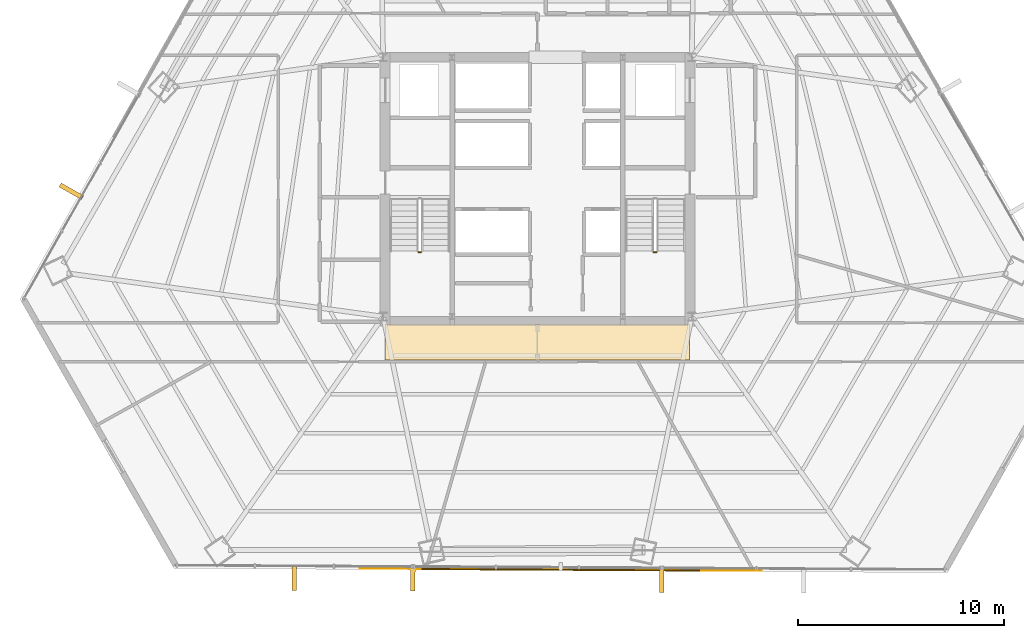
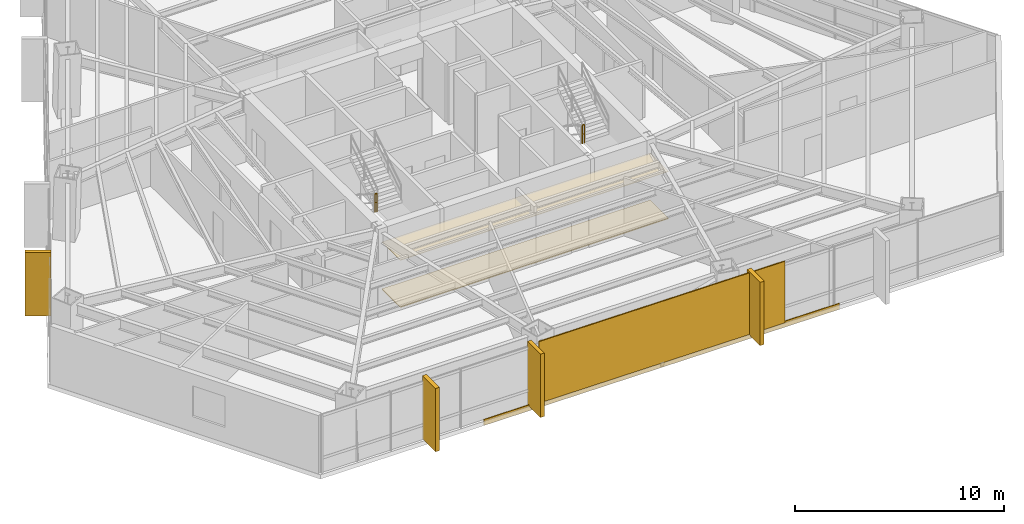
# One storey, part 33 of 35: 7 coverings, 2 railings, 1 shading device.
"""IFC4 building model written with IfcOpenShell, lengths in metres."""

from ifc_helpers import new_model, si_unit, direction, frame, origin, origin_2d, place, context, subcontext, project, spatial, polyline, rectangle, outline, extrude, source, transform, mapped, material, layer, layer_set, type_object, type_shapes, element, save


model = new_model("IFC4")

# Units and contexts
model_context = context("Model", 3, precision=1e-05, world=origin(), true_north=direction((0.0, 1.0)))
body_context = subcontext(model_context, "Body", "Model", "MODEL_VIEW")
ifc_project = project(units=[si_unit("LENGTHUNIT", "METRE"), si_unit("AREAUNIT", "SQUARE_METRE"), si_unit("VOLUMEUNIT", "CUBIC_METRE"), si_unit("PLANEANGLEUNIT", "RADIAN"), si_unit("MASSUNIT", "GRAM", prefix="KILO")], contexts=[model_context])

# Site, building, storey
site_placement = place(None, origin())
site = spatial("IfcSite", under=ifc_project, at=site_placement, CompositionType="ELEMENT")
building_placement = place(site_placement, origin())
building = spatial("IfcBuilding", under=site, at=building_placement, Name="Caelisora Broadcast Tower", CompositionType="ELEMENT")
storey_placement = place(building_placement, frame((0.0, 0.0, 87.14990234375)))
storey = spatial("IfcBuildingStorey", under=building, at=storey_placement, Name="L22", CompositionType="ELEMENT", Elevation=87.14990234375)

# Coverings
ifc_material_1 = material(Name="Perforated Mineral-Fibre Acoustic Ceiling Tile", Category="gypsum")
ifc_layer_1 = layer(ifc_material_1, 0.034912109375, Name="Perforated Mineral-Fibre Acoustic Ceiling Tile")
ifc_layer_set_1 = layer_set([ifc_layer_1], Name="Perforated Mineral-Fibre Acoustic Ceiling Tile")
covering_type_1 = type_object("IfcCoveringType", Name="CE-1", PredefinedType="CEILING", material=ifc_layer_set_1)
covering_1_placement = place(storey_placement, frame((0.0, 0.0, 2.75)))
element("IfcCovering", 1, at=covering_1_placement, inside=storey, type_object=covering_type_1, Name="L22 acoustic corridor ceiling CE-1 (S)", PredefinedType="CEILING", context=body_context, shape_type="SweptSolid", body=[
    extrude(outline(polyline([(30.60009765625, 15.300048828125), (45.39990234375, 15.300048828125), (45.39990234375, 17.050048828125), (30.60009765625, 17.050048828125), (30.60009765625, 15.300048828125)])), origin(), (0.0, 0.0, 1.0), 0.03515625),
])
ifc_material_2 = material(Name="Anti-Static Broadcast Raised Access Floor Panel", Category="steel")
ifc_layer_2 = layer(ifc_material_2, 0.044921875, Name="Anti-Static Broadcast Raised Access Floor Panel")
ifc_layer_set_2 = layer_set([ifc_layer_2], Name="Anti-Static Broadcast Raised Access Floor Panel")
covering_type_2 = type_object("IfcCoveringType", Name="FL-1", PredefinedType="FLOORING", material=ifc_layer_set_2)
covering_2_placement = place(storey_placement, origin())
element("IfcCovering", 2, at=covering_2_placement, inside=storey, type_object=covering_type_2, Name="L22 broadcast raised access floor FL-1 (S)", PredefinedType="FLOORING", context=body_context, shape_type="SweptSolid", body=[
    extrude(outline(polyline([(30.60009765625, 15.300048828125), (45.39990234375, 15.300048828125), (45.39990234375, 17.050048828125), (30.60009765625, 17.050048828125), (30.60009765625, 15.300048828125)])), origin(), (0.0, 0.0, 1.0), 0.045166015625),
])

# Railings
ifc_material_3 = material(Name="Galvanised Steel Safety Guardrail", Category="steel")
ifc_layer_3 = layer(ifc_material_3, 0.048095703125, Name="Galvanised Steel Safety Guardrail")
ifc_layer_set_3 = layer_set([ifc_layer_3], Name="Galvanised Steel Safety Guardrail")
railing_type = type_object("IfcRailingType", Name="GR-1", PredefinedType="GUARDRAIL", material=ifc_layer_set_3)
for number, where, name in (
    (3, (32.219970703125, 20.530029296875, 1.8251953125), "L22 ST-1 stair guard 2"),
    (4, (43.659912109375, 20.530029296875, 1.8251953125), "L22 ST-2 stair guard 2"),
):
    element("IfcRailing", number, at=place(storey_placement, frame(where)), inside=storey, type_object=railing_type, Name=name, PredefinedType="GUARDRAIL", context=body_context, shape_type="SweptSolid", body=[
        extrude(rectangle(XDim=0.048095703125, YDim=0.048095703125, at=origin_2d()), frame((0.0, 0.0, 1.076171875), z_axis=(1.0, 0.0, 0.0), x_axis=(0.0, 1.0, 0.0)), (0.0, 0.0, 1.0), 0.1201171875),
        extrude(rectangle(XDim=0.03125, YDim=0.03125, at=origin_2d()), frame((0.0, 0.0, 0.550048828125), z_axis=(1.0, 0.0, 0.0), x_axis=(0.0, 1.0, 0.0)), (0.0, 0.0, 1.0), 0.1201171875),
        extrude(rectangle(XDim=0.0419921875, YDim=0.0419921875, at=origin_2d()), origin(), (0.0, 0.0, 1.0), 1.052001953125),
        extrude(rectangle(XDim=0.0419921875, YDim=0.0419921875, at=origin_2d()), frame((0.1201171875, 0.0, 0.0)), (0.0, 0.0, 1.0), 1.052001953125),
    ])

# Coverings
ifc_material_4 = material(Name="Kiln-Fired Terracotta Spandrel Rainscreen Cladding", Category="ceramic")
ifc_layer_4 = layer(ifc_material_4, 0.044921875, Name="Kiln-Fired Terracotta Spandrel Rainscreen Cladding")
ifc_layer_set_4 = layer_set([ifc_layer_4], Name="Kiln-Fired Terracotta Spandrel Rainscreen Cladding")
covering_type_3 = type_object("IfcCoveringType", Name="CL-1", PredefinedType="CLADDING", material=ifc_layer_set_4)
shared_shape_1 = source(origin(), body_context, "Body", "SweptSolid", [
    extrude(rectangle(XDim=0.219970703125, YDim=1.25, at=origin_2d()), origin(), (0.0, 0.0, 1.0), 3.68994140625),
])
for number, where, z_axis, x_axis, name in (
    (5, (44.037353515625, 4.616943359375, -0.019775390625), (0.0, 0.0, 1.0), (-0.999984403629, 0.005585024571, 0.0), "L22 vertical solar fin cladding #2-2"),
    (6, (31.947998046875, 4.68359375, -0.019775390625), (0.0, 0.0, 1.0), (-0.999984403629, 0.005585024571, 0.0), "L22 vertical solar fin cladding #2-3"),
    (7, (26.1826171875, 4.71533203125, -0.019775390625), (0.0, 0.0, 1.0), (-0.999984403629, 0.005585024571, 0.0), "L22 vertical solar fin cladding #2-4"),
    (8, (15.342529296875, 23.490234375, -0.019775390625), (0.0, 0.0, 1.0), (0.49181581725, 0.870699260309, 0.0), "L22 vertical solar fin cladding #3-1"),
):
    element("IfcCovering", number, at=place(storey_placement, frame(where, z_axis=z_axis, x_axis=x_axis)), inside=storey, type_object=covering_type_3, Name=name, PredefinedType="CLADDING", context=body_context, shape_type="MappedRepresentation", body=[
        mapped(shared_shape_1, transform((0.0, 0.0, 0.0), scale=1.0)),
    ])

# Shading device
ifc_material_5 = material(Name="Perforated Glazed Terracotta Baguette Solar Screen", Category="ceramic")
ifc_layer_5 = layer(ifc_material_5, 0.06494140625, Name="Perforated Glazed Terracotta Baguette Solar Screen")
ifc_layer_set_5 = layer_set([ifc_layer_5], Name="Perforated Glazed Terracotta Baguette Solar Screen")
shading_device_type = type_object("IfcShadingDeviceType", Name="SS-1", PredefinedType="USERDEFINED", material=ifc_layer_set_5)
shared_shape_2 = source(origin(), body_context, "Body", "SweptSolid", [
    extrude(rectangle(XDim=13.534912109375, YDim=0.06494140625, at=origin_2d()), origin(), (0.0, 0.0, 1.0), 3.590087890625),
])
type_shapes(shading_device_type, [shared_shape_2])
shading_device_placement = place(storey_placement, frame((39.132080078125, 5.093994140625, 0.0), z_axis=(0.0, 0.0, 1.0), x_axis=(0.999985363169, -0.005410494284, 0.0)))
element("IfcShadingDevice", 9, at=shading_device_placement, inside=storey, type_object=shading_device_type, Name="L22 perforated terracotta solar screen #2", ObjectType="SOLAR SCREEN", PredefinedType="USERDEFINED", context=body_context, shape_type="MappedRepresentation", body=[
    mapped(shared_shape_2, transform((0.0, 0.0, 0.0), scale=1.0)),
])

# Covering
shared_shape_3 = source(origin(), body_context, "Body", "SweptSolid", [
    extrude(rectangle(XDim=19.551025390625, YDim=0.044921875, at=origin_2d()), origin(), (0.0, 0.0, 1.0), 0.340087890625),
])
type_shapes(covering_type_3, [shared_shape_1, shared_shape_3])
covering_3_placement = place(storey_placement, frame((39.13232421875, 5.114013671875, -0.27001953125), z_axis=(0.0, 0.0, 1.0), x_axis=(0.999985363169, -0.005410494284, 0.0)))
element("IfcCovering", 10, at=covering_3_placement, inside=storey, type_object=covering_type_3, Name="L22 terracotta spandrel rainscreen #2", PredefinedType="CLADDING", context=body_context, shape_type="MappedRepresentation", body=[
    mapped(shared_shape_3, transform((0.0, 0.0, 0.0), scale=1.0)),
])

save(model, "model.ifc")
